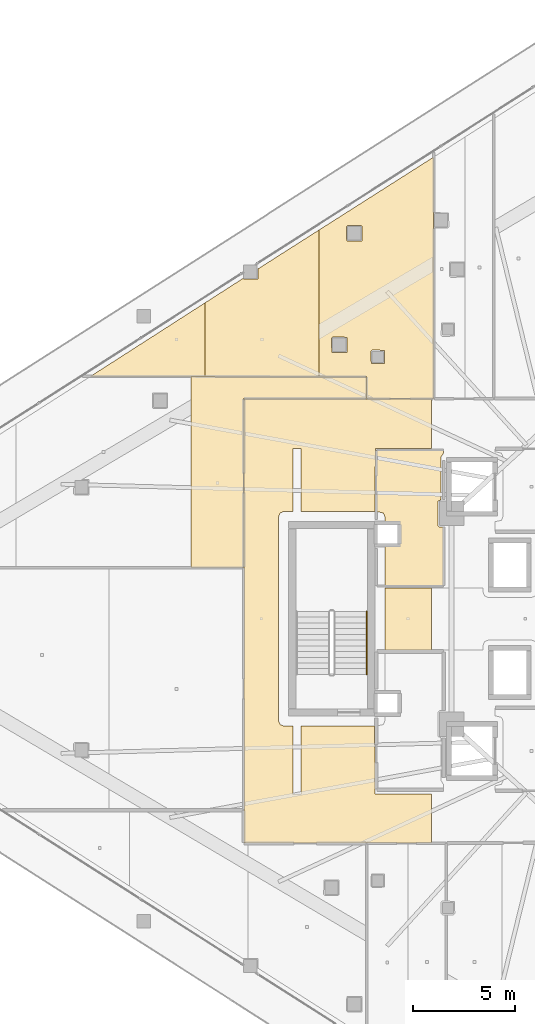
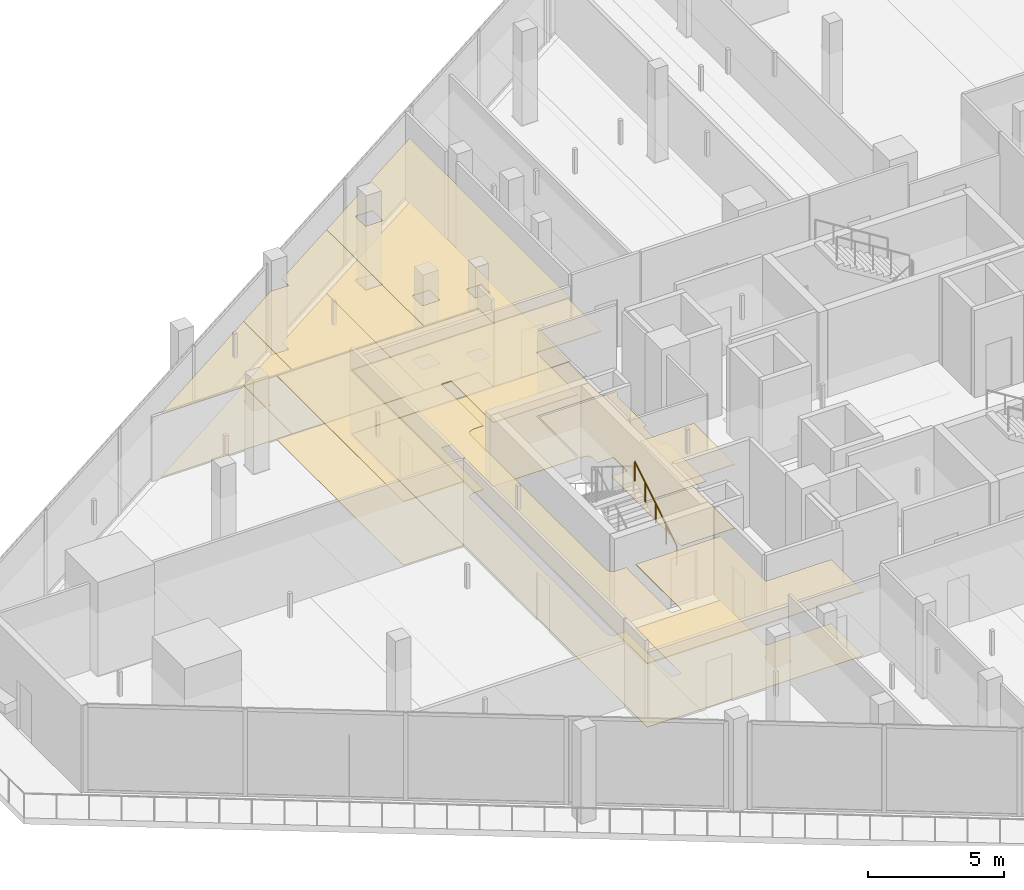
# One storey, part 41 of 44: 13 coverings, 1 railing.
"""IFC4 building model written with IfcOpenShell, lengths in metres."""

from ifc_helpers import new_model, si_unit, direction, frame, origin, origin_2d, place, context, subcontext, project, spatial, polyline, circle, outline, extrude, material, layer, layer_set, type_object, element, save


model = new_model("IFC4")

# Units and contexts
model_context = context("Model", 3, precision=1e-05, world=origin(), true_north=direction((0.0, 1.0)))
body_context = subcontext(model_context, "Body", "Model", "MODEL_VIEW")
ifc_project = project(units=[si_unit("LENGTHUNIT", "METRE"), si_unit("AREAUNIT", "SQUARE_METRE"), si_unit("VOLUMEUNIT", "CUBIC_METRE"), si_unit("PLANEANGLEUNIT", "RADIAN"), si_unit("MASSUNIT", "GRAM", prefix="KILO")], contexts=[model_context])

# Site, building, storey
site_placement = place(None, origin())
site = spatial("IfcSite", under=ifc_project, at=site_placement, CompositionType="ELEMENT")
building_placement = place(site_placement, origin())
building = spatial("IfcBuilding", under=site, at=building_placement, Name="Qorvath Tower", CompositionType="ELEMENT")
storey_placement = place(building_placement, frame((0.0, 0.0, 45.0)))
storey = spatial("IfcBuildingStorey", under=building, at=storey_placement, Name="L09", CompositionType="ELEMENT", Elevation=45.0)

# Coverings
ifc_material_1 = material(Name="Acoustic mineral fibre ceiling tile", Category="gypsum")
ifc_layer_1 = layer(ifc_material_1, 0.030029296875)
ifc_layer_set_1 = layer_set([ifc_layer_1], Name="COV-CEIL")
covering_type_1 = type_object("IfcCoveringType", Name="COV-CEIL", PredefinedType="CEILING", material=ifc_layer_set_1)
covering_1_placement = place(storey_placement, frame((0.0, 0.0, 2.85009765625)))
element("IfcCovering", 1, at=covering_1_placement, inside=storey, type_object=covering_type_1, Name="L09 Suspended Acoustic Ceiling 005", PredefinedType="CEILING", context=body_context, shape_type="SweptSolid", body=[
    extrude(outline(polyline([(-31.481689453125, -10.945068359375), (-31.481689453125, -8.564697265625), (-34.25, -8.56494140625), (-34.2548828125, -5.239990234375), (-37.844970703125, -5.239990234375), (-37.844970703125, -8.580078125), (-38.2548828125, -8.580078125), (-38.2548828125, -5.239990234375), (-38.699951171875, -5.239990234375), (-38.876708984375, -5.166748046875), (-38.949951171875, -4.989990234375), (-38.949951171875, 4.989990234375), (-38.876708984375, 5.166748046875), (-38.699951171875, 5.239990234375), (-38.2548828125, 5.239990234375), (-38.25341796875, 8.323486328125), (-37.844970703125, 8.320068359375), (-37.844970703125, 5.239990234375), (-34.2509765625, 5.239990234375), (-34.219970703125, 8.324951171875), (-31.481689453125, 8.324951171875), (-31.481689453125, 10.7451171875), (-40.64501953125, 10.7451171875), (-40.64501953125, -10.945068359375), (-31.481689453125, -10.945068359375)])), origin(), (0.0, 0.0, 1.0), 0.030029296875),
])
covering_2_placement = place(storey_placement, frame((0.0, 0.0, 2.85009765625)))
element("IfcCovering", 2, at=covering_2_placement, inside=storey, type_object=covering_type_1, Name="L09 Suspended Acoustic Ceiling 006", PredefinedType="CEILING", context=body_context, shape_type="SweptSolid", body=[
    extrude(outline(polyline([(-31.481689453125, -1.514892578125), (-31.481689453125, 1.514892578125), (-33.760009765625, 1.514892578125), (-33.760009765625, -1.514892578125), (-31.481689453125, -1.514892578125)])), origin(), (0.0, 0.0, 1.0), 0.030029296875),
])
covering_3_placement = place(storey_placement, frame((0.0, 0.0, 2.85009765625)))
element("IfcCovering", 3, at=covering_3_placement, inside=storey, type_object=covering_type_1, Name="L09 Suspended Acoustic Ceiling 008", PredefinedType="CEILING", context=body_context, shape_type="SweptSolid", body=[
    extrude(outline(polyline([(-42.54833984375, 11.84033203125), (-42.54833984375, 15.4296875), (-48.1318359375, 11.8447265625), (-42.54833984375, 11.84033203125)])), origin(), (0.0, 0.0, 1.0), 0.030029296875),
])
covering_4_placement = place(storey_placement, frame((0.0, 0.0, 2.85009765625)))
element("IfcCovering", 4, at=covering_4_placement, inside=storey, type_object=covering_type_1, Name="L09 Suspended Acoustic Ceiling 009", PredefinedType="CEILING", context=body_context, shape_type="SweptSolid", body=[
    extrude(outline(polyline([(-36.964599609375, 11.8359375), (-36.964599609375, 18.99560546875), (-39.947509765625, 17.09716796875), (-39.965087890625, 16.58837890625), (-40.709228515625, 16.610595703125), (-42.54833984375, 15.4296875), (-42.54833984375, 11.84033203125), (-36.964599609375, 11.8359375)])), origin(), (0.0, 0.0, 1.0), 0.030029296875),
])
covering_5_placement = place(storey_placement, frame((0.0, 0.0, 2.85009765625)))
element("IfcCovering", 5, at=covering_5_placement, inside=storey, type_object=covering_type_1, Name="L09 Suspended Acoustic Ceiling 010", PredefinedType="CEILING", context=body_context, shape_type="SweptSolid", body=[
    extrude(outline(polyline([(-31.380859375, 22.548828125), (-36.964599609375, 18.99560546875), (-36.964599609375, 11.8359375), (-34.64990234375, 11.833984375), (-34.64501953125, 10.762939453125), (-31.380859375, 10.762939453125), (-31.380859375, 22.548828125)]), holes=[polyline([(-34.439208984375, 13.0673828125), (-34.379150390625, 13.12744140625), (-33.786865234375, 13.10986328125), (-33.786865234375, 12.47509765625), (-34.421630859375, 12.47509765625), (-34.439208984375, 13.0673828125)]), polyline([(-35.63671875, 19.154296875), (-35.57666015625, 19.21435546875), (-34.88427734375, 19.19677734375), (-34.88427734375, 18.4619140625), (-35.619140625, 18.4619140625), (-35.63671875, 19.154296875)]), polyline([(-36.36572265625, 13.705810546875), (-36.3056640625, 13.765869140625), (-35.61328125, 13.748291015625), (-35.61328125, 13.013427734375), (-36.34814453125, 13.013427734375), (-36.36572265625, 13.705810546875)])]), origin(), (0.0, 0.0, 1.0), 0.030029296875),
])
covering_6_placement = place(storey_placement, frame((0.0, 0.0, 2.85009765625)))
element("IfcCovering", 6, at=covering_6_placement, inside=storey, type_object=covering_type_1, Name="L09 Suspended Acoustic Ceiling 047", PredefinedType="CEILING", context=body_context, shape_type="SweptSolid", body=[
    extrude(outline(polyline([(-43.22412109375, 11.822998046875), (-43.22412109375, 2.512451171875), (-40.6630859375, 2.512451171875), (-40.66162109375, 10.761474609375), (-34.6630859375, 10.762939453125), (-34.6630859375, 11.816162109375), (-43.22412109375, 11.822998046875)])), origin(), (0.0, 0.0, 1.0), 0.030029296875),
])
ifc_material_2 = material(Name="Low-VOC modular carpet tile", Category="textile")
ifc_layer_2 = layer(ifc_material_2, 0.014892578125)
ifc_layer_set_2 = layer_set([ifc_layer_2], Name="COV-FLOOR-CPT")
covering_type_2 = type_object("IfcCoveringType", Name="COV-FLOOR-CPT", PredefinedType="FLOORING", material=ifc_layer_set_2)
covering_7_placement = place(storey_placement, origin())
element("IfcCovering", 7, at=covering_7_placement, inside=storey, type_object=covering_type_2, Name="L09 Floor Finish 008", PredefinedType="FLOORING", context=body_context, shape_type="SweptSolid", body=[
    extrude(outline(polyline([(-42.54833984375, 11.84033203125), (-42.54833984375, 15.4296875), (-48.1318359375, 11.8447265625), (-42.54833984375, 11.84033203125)])), origin(), (0.0, 0.0, 1.0), 0.014892578125),
])
covering_8_placement = place(storey_placement, origin())
element("IfcCovering", 8, at=covering_8_placement, inside=storey, type_object=covering_type_2, Name="L09 Floor Finish 009", PredefinedType="FLOORING", context=body_context, shape_type="SweptSolid", body=[
    extrude(outline(polyline([(-36.964599609375, 11.8359375), (-36.964599609375, 18.99560546875), (-39.947509765625, 17.09716796875), (-39.965087890625, 16.58837890625), (-40.709228515625, 16.610595703125), (-42.54833984375, 15.4296875), (-42.54833984375, 11.84033203125), (-36.964599609375, 11.8359375)])), origin(), (0.0, 0.0, 1.0), 0.014892578125),
])
covering_9_placement = place(storey_placement, origin())
element("IfcCovering", 9, at=covering_9_placement, inside=storey, type_object=covering_type_2, Name="L09 Floor Finish 010", PredefinedType="FLOORING", context=body_context, shape_type="SweptSolid", body=[
    extrude(outline(polyline([(-31.380859375, 22.548828125), (-36.964599609375, 18.99560546875), (-36.964599609375, 11.8359375), (-34.64990234375, 11.833984375), (-34.64501953125, 10.762939453125), (-31.380859375, 10.762939453125), (-31.380859375, 22.548828125)]), holes=[polyline([(-34.439208984375, 13.0673828125), (-34.379150390625, 13.12744140625), (-33.786865234375, 13.10986328125), (-33.786865234375, 12.47509765625), (-34.421630859375, 12.47509765625), (-34.439208984375, 13.0673828125)]), polyline([(-35.63671875, 19.154296875), (-35.57666015625, 19.21435546875), (-34.88427734375, 19.19677734375), (-34.88427734375, 18.4619140625), (-35.619140625, 18.4619140625), (-35.63671875, 19.154296875)]), polyline([(-36.36572265625, 13.705810546875), (-36.3056640625, 13.765869140625), (-35.61328125, 13.748291015625), (-35.61328125, 13.013427734375), (-36.34814453125, 13.013427734375), (-36.36572265625, 13.705810546875)])]), origin(), (0.0, 0.0, 1.0), 0.014892578125),
])
covering_10_placement = place(storey_placement, origin())
element("IfcCovering", 10, at=covering_10_placement, inside=storey, type_object=covering_type_2, Name="L09 Floor Finish 047", PredefinedType="FLOORING", context=body_context, shape_type="SweptSolid", body=[
    extrude(outline(polyline([(-43.22412109375, 11.822998046875), (-43.22412109375, 2.512451171875), (-40.6630859375, 2.512451171875), (-40.66162109375, 10.761474609375), (-34.6630859375, 10.762939453125), (-34.6630859375, 11.816162109375), (-43.22412109375, 11.822998046875)])), origin(), (0.0, 0.0, 1.0), 0.014892578125),
])
ifc_material_3 = material(Name="Polished epoxy terrazzo flooring", Category="concrete")
ifc_layer_3 = layer(ifc_material_3, 0.02001953125)
ifc_layer_set_3 = layer_set([ifc_layer_3], Name="COV-FLOOR-TRZ")
covering_type_3 = type_object("IfcCoveringType", Name="COV-FLOOR-TRZ", PredefinedType="FLOORING", material=ifc_layer_set_3)
covering_11_placement = place(storey_placement, origin())
element("IfcCovering", 11, at=covering_11_placement, inside=storey, type_object=covering_type_3, Name="L09 Floor Finish 003", PredefinedType="FLOORING", context=body_context, shape_type="SweptSolid", body=[
    extrude(outline(polyline([(-30.885009765625, 8.2451171875), (-34.175048828125, 8.2451171875), (-34.175048828125, 5.239990234375), (-33.833251953125, 5.166748046875), (-33.760009765625, 4.989990234375), (-33.760009765625, 4.633056640625), (-33.0869140625, 4.6279296875), (-33.08837890625, 3.638427734375), (-33.760009765625, 3.636962890625), (-33.760009765625, 1.60498046875), (-30.885009765625, 1.60498046875), (-30.885009765625, 4.489990234375), (-31.10009765625, 4.489990234375), (-31.159912109375, 4.550048828125), (-31.159912109375, 5.75), (-31.010009765625, 5.81005859375), (-31.010009765625, 7.909912109375), (-30.885009765625, 8.108154296875), (-30.885009765625, 8.2451171875)])), origin(), (0.0, 0.0, 1.0), 0.014892578125),
])
covering_12_placement = place(storey_placement, origin())
element("IfcCovering", 12, at=covering_12_placement, inside=storey, type_object=covering_type_3, Name="L09 Floor Finish 005", PredefinedType="FLOORING", context=body_context, shape_type="SweptSolid", body=[
    extrude(outline(polyline([(-31.481689453125, -10.945068359375), (-31.481689453125, -8.564697265625), (-34.25, -8.56494140625), (-34.2548828125, -5.239990234375), (-37.844970703125, -5.239990234375), (-37.844970703125, -8.580078125), (-38.2548828125, -8.580078125), (-38.2548828125, -5.239990234375), (-38.699951171875, -5.239990234375), (-38.876708984375, -5.166748046875), (-38.949951171875, -4.989990234375), (-38.949951171875, 4.989990234375), (-38.876708984375, 5.166748046875), (-38.699951171875, 5.239990234375), (-38.2548828125, 5.239990234375), (-38.25341796875, 8.323486328125), (-37.844970703125, 8.320068359375), (-37.844970703125, 5.239990234375), (-34.2509765625, 5.239990234375), (-34.219970703125, 8.324951171875), (-31.481689453125, 8.324951171875), (-31.481689453125, 10.7451171875), (-40.64501953125, 10.7451171875), (-40.64501953125, -10.945068359375), (-31.481689453125, -10.945068359375)])), origin(), (0.0, 0.0, 1.0), 0.014892578125),
])
covering_13_placement = place(storey_placement, origin())
element("IfcCovering", 13, at=covering_13_placement, inside=storey, type_object=covering_type_3, Name="L09 Floor Finish 006", PredefinedType="FLOORING", context=body_context, shape_type="SweptSolid", body=[
    extrude(outline(polyline([(-31.481689453125, -1.514892578125), (-31.481689453125, 1.514892578125), (-33.760009765625, 1.514892578125), (-33.760009765625, -1.514892578125), (-31.481689453125, -1.514892578125)])), origin(), (0.0, 0.0, 1.0), 0.014892578125),
])

# Railing
ifc_material_4 = material(Name="Brushed stainless steel AISI 304", Category="steel")
railing_type = type_object("IfcRailingType", Name="RL-STR-HND", PredefinedType="HANDRAIL", material=ifc_material_4)
railing_placement = place(storey_placement, frame((-34.64990234375, -2.719970703125, 0.175048828125)))
element("IfcRailing", 14, at=railing_placement, inside=storey, type_object=railing_type, Name="L09 TS3 stair handrail 1", PredefinedType="HANDRAIL", context=body_context, shape_type="SweptSolid", body=[
    extrude(circle(Radius=0.02392578125, at=origin_2d()), frame((0.0, 0.0, 0.8759765625), z_axis=(0.0, 0.847998304005, 0.529998940003), x_axis=(-1.0, 0.0, 0.0)), (0.0, 0.0, 1.0), 3.632080078125),
    extrude(circle(Radius=0.02099609375, at=origin_2d()), origin(), (0.0, 0.0, 1.0), 0.851806640625),
    extrude(circle(Radius=0.02099609375, at=origin_2d()), frame((0.0, 0.77001953125, 0.481201171875)), (0.0, 0.0, 1.0), 0.851806640625),
    extrude(circle(Radius=0.02099609375, at=origin_2d()), frame((0.0, 1.5400390625, 0.96240234375)), (0.0, 0.0, 1.0), 0.851806640625),
    extrude(circle(Radius=0.02099609375, at=origin_2d()), frame((0.0, 2.31005859375, 1.44384765625)), (0.0, 0.0, 1.0), 0.851806640625),
    extrude(circle(Radius=0.02099609375, at=origin_2d()), frame((0.0, 3.080078125, 1.925048828125)), (0.0, 0.0, 1.0), 0.851806640625),
])

save(model, "model.ifc")
